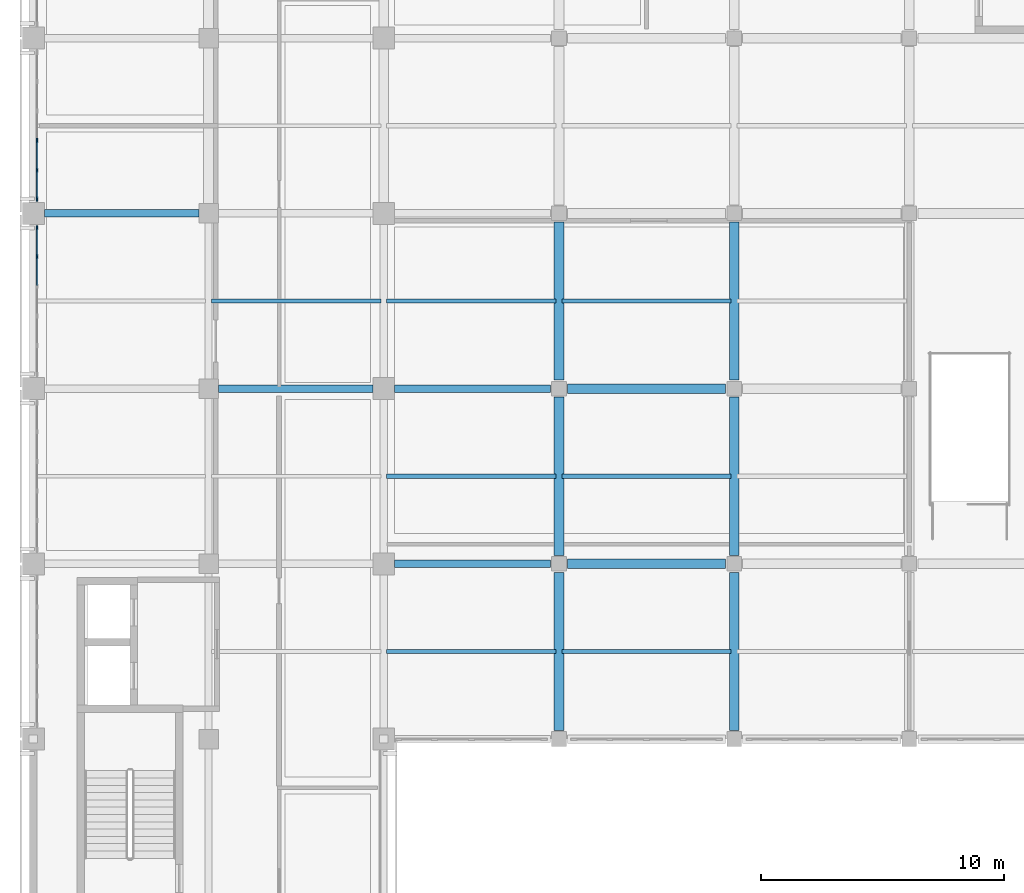
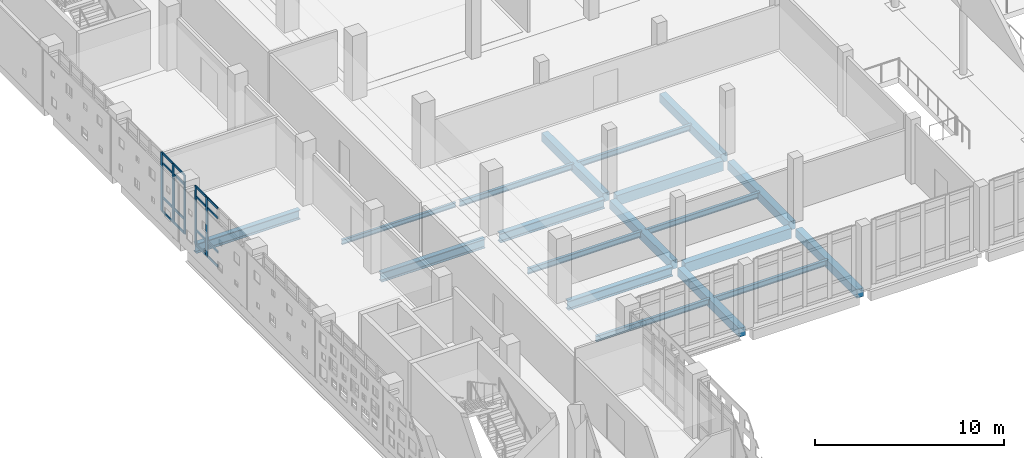
# One storey, part 12 of 62: 21 members, 19 beams, 2 elements without a shape of their own.
"""IFC4 building model written with IfcOpenShell, lengths in metres."""

import ifcopenshell
import ifcopenshell.guid

model = None  # the IFC model being written
_history = None  # IfcOwnerHistory: only IFC2X3 demands one
_inside = {}  # id of a spatial element -> (the spatial element, [elements in it])
_under = {}  # id of a project, library or spatial element -> (it, [spatial elements below it])
_declared = {}  # id of a project -> (the project, [libraries it declares])
_typed = {}  # id of a type object -> (the type object, [elements of that type])
_made_of = {}  # id of a material, layer set ... -> (it, [elements and type objects made of it])


def new_model(schema):
    """Start an empty IFC model of exactly this schema.

    Asked for "IFC4X3", IfcOpenShell would pick the latest addendum, in which some entities
    have other attributes; the version numbers below select the first issue.
    IFC2X3 requires an IfcOwnerHistory on every rooted entity: one is made here for all.
    """
    global model, _history
    if schema == "IFC4X3":
        model = ifcopenshell.file(schema_version=(4, 3, 0, 0))
    else:
        model = ifcopenshell.file(schema=schema)
    _inside.clear()
    _under.clear()
    _declared.clear()
    _typed.clear()
    _made_of.clear()
    _history = None
    if model.schema == "IFC2X3":
        org = make("IfcOrganization", Name="unknown")
        user = make(
            "IfcPersonAndOrganization",
            ThePerson=make("IfcPerson", FamilyName="unknown"),
            TheOrganization=org,
        )
        app = make(
            "IfcApplication",
            ApplicationDeveloper=org,
            Version="unknown",
            ApplicationFullName="unknown",
            ApplicationIdentifier="unknown",
        )
        _history = make(
            "IfcOwnerHistory",
            OwningUser=user,
            OwningApplication=app,
            ChangeAction="ADDED",
            CreationDate=0,
        )
    return model


def make(cls, **values):
    """One entity of the class cls with the attributes given. An attribute that is None is left unset."""
    return model.create_entity(
        cls, **{name: value for name, value in values.items() if value is not None}
    )


def rooted(cls, **values):
    """An entity with a GlobalId (a new one), such as an element, a storey or a relation."""
    return make(cls, GlobalId=ifcopenshell.guid.new(), OwnerHistory=_history, **values)


def si_unit(unit_type, name, prefix=None):
    """IfcSIUnit, for example si_unit("LENGTHUNIT", "METRE", prefix="MILLI")."""
    return make("IfcSIUnit", UnitType=unit_type, Prefix=prefix, Name=name)


def assignment(units):
    """IfcUnitAssignment: the units of a project."""
    return None if units is None else make("IfcUnitAssignment", Units=units)


def point(xyz):
    """IfcCartesianPoint."""
    return None if xyz is None else make("IfcCartesianPoint", Coordinates=xyz)


def direction(xyz):
    """IfcDirection."""
    return None if xyz is None else make("IfcDirection", DirectionRatios=xyz)


def frame(location, z_axis=None, x_axis=None):
    """IfcAxis2Placement3D, a coordinate frame: its origin and axes. An axis left out is left unset."""
    return make(
        "IfcAxis2Placement3D",
        Location=point(location),
        Axis=direction(z_axis),
        RefDirection=direction(x_axis),
    )


def frame_2d(location, x_axis=None):
    """IfcAxis2Placement2D, a coordinate frame in the plane: its origin and x axis."""
    return make(
        "IfcAxis2Placement2D", Location=point(location), RefDirection=direction(x_axis)
    )


def origin():
    """The frame at (0, 0, 0) with its axes left unset."""
    return frame((0.0, 0.0, 0.0))


def origin_2d():
    """The frame at (0, 0) in the plane with its x axis left unset."""
    return frame_2d((0.0, 0.0))


def place(relative_to, where):
    """IfcLocalPlacement: puts the frame where relative to a parent placement (None: the world)."""
    return make(
        "IfcLocalPlacement", PlacementRelTo=relative_to, RelativePlacement=where
    )


def context(
    kind, dimensions, precision=None, world=None, true_north=None, identifier=None
):
    """IfcGeometricRepresentationContext, for example the 3D "Model" context."""
    return make(
        "IfcGeometricRepresentationContext",
        ContextIdentifier=identifier,
        ContextType=kind,
        CoordinateSpaceDimension=dimensions,
        Precision=precision,
        WorldCoordinateSystem=world,
        TrueNorth=true_north,
    )


def subcontext(parent, identifier, kind, view, scale=None):
    """IfcGeometricRepresentationSubContext, for example "Body" below "Model"."""
    return make(
        "IfcGeometricRepresentationSubContext",
        ContextIdentifier=identifier,
        ContextType=kind,
        ParentContext=parent,
        TargetScale=scale,
        TargetView=view,
    )


def project(units=None, contexts=None):
    """IfcProject with its units and contexts."""
    return rooted(
        "IfcProject",
        Name="project",
        RepresentationContexts=contexts,
        UnitsInContext=assignment(units),
    )


def spatial(cls, under=None, at=None, **own):
    """A site, building, storey or space (cls), placed at a placement, below another one or the project."""
    s = rooted(cls, ObjectPlacement=at, **own)
    if under is not None:
        _under.setdefault(under.id(), (under, []))[1].append(s)
    return s


def profile(cls, at=None, kind="AREA", **sizes):
    """A parametric profile (cls). Its sizes go by their IFC names, for example OverallWidth=200.0."""
    return make(cls, ProfileType=kind, Position=at, **sizes)


def rectangle(**sizes):
    """IfcRectangleProfileDef."""
    return profile("IfcRectangleProfileDef", **sizes)


def i_section(**sizes):
    """IfcIShapeProfileDef."""
    return profile("IfcIShapeProfileDef", **sizes)


def extrude(swept, where, along, depth):
    """IfcExtrudedAreaSolid: the profile swept, set in the frame where, extruded along a direction by depth."""
    return make(
        "IfcExtrudedAreaSolid",
        SweptArea=swept,
        Position=where,
        ExtrudedDirection=direction(along),
        Depth=depth,
    )


def shape(context_of_items, identifier, shape_type, items):
    """IfcShapeRepresentation: the items that make up one representation, for example the "Body"."""
    return make(
        "IfcShapeRepresentation",
        ContextOfItems=context_of_items,
        RepresentationIdentifier=identifier,
        RepresentationType=shape_type,
        Items=items,
    )


def material(Name=None, Category=None):
    """IfcMaterial."""
    return make("IfcMaterial", Name=Name, Category=Category)


def layer(
    of_material, thickness, ventilated=None, Name=None, Category=None, Priority=None
):
    """IfcMaterialLayer: one layer of a wall or slab, of a material (None: an air gap)."""
    return make(
        "IfcMaterialLayer",
        Material=of_material,
        LayerThickness=thickness,
        IsVentilated=ventilated,
        Name=Name,
        Category=Category,
        Priority=Priority,
    )


def layer_set(layers, Name=None):
    """IfcMaterialLayerSet."""
    return make("IfcMaterialLayerSet", MaterialLayers=layers, LayerSetName=Name)


def material_profile(
    of_material, cross_section, Name=None, Category=None, Priority=None
):
    """IfcMaterialProfile: a cross section and its material."""
    return make(
        "IfcMaterialProfile",
        Name=Name,
        Material=of_material,
        Profile=cross_section,
        Priority=Priority,
        Category=Category,
    )


def profile_set(profiles, Name=None, composite=None):
    """IfcMaterialProfileSet."""
    return make(
        "IfcMaterialProfileSet",
        Name=Name,
        MaterialProfiles=profiles,
        CompositeProfile=composite,
    )


def made_of(thing, what):
    """Note that an element or type object is made of a material, layer set ...; save() writes the relation."""
    if what is not None:
        _made_of.setdefault(what.id(), (what, []))[1].append(thing)
    return thing


def type_object(cls, material=None, **own):
    """A type object (cls), such as IfcWallType, which elements share."""
    return made_of(rooted(cls, **own), material)


def element(
    cls,
    number,
    at=None,
    inside=None,
    cuts=None,
    type_object=None,
    material=None,
    context=None,
    identifier="Body",
    shape_type=None,
    held_by="IfcProductDefinitionShape",
    body=None,
    shapes=None,
    **own,
):
    """One element of the class cls, such as IfcWall. Its Tag is "e" and its number.

    at: its placement. inside: the storey or other place that contains it. cuts: it is an
    opening in that element (IfcRelVoidsElement). A single representation is given by context,
    identifier, shape_type and body (its items); several are given by shapes. held_by: the class
    of the entity that holds the representations. save() writes the other relations.
    """
    e = rooted(cls, Tag="e%d" % number, ObjectPlacement=at, **own)
    if body is not None:
        shapes = [shape(context, identifier, shape_type, body)]
    if shapes is not None:
        e.Representation = make(held_by, Representations=shapes)
    if inside is not None:
        _inside.setdefault(inside.id(), (inside, []))[1].append(e)
    if cuts is not None:
        rooted(
            "IfcRelVoidsElement", RelatingBuildingElement=cuts, RelatedOpeningElement=e
        )
    if type_object is not None:
        _typed.setdefault(type_object.id(), (type_object, []))[1].append(e)
    return made_of(e, material)


def aggregate(whole, parts):
    """IfcRelAggregates: a whole, such as a stair, and the parts it consists of."""
    return rooted("IfcRelAggregates", RelatingObject=whole, RelatedObjects=parts)


def save(model, path):
    """Write the relations noted so far, then the file.

    IfcRelAggregates (storeys below a building ...), IfcRelContainedInSpatialStructure (elements
    in a storey), IfcRelDefinesByType, IfcRelAssociatesMaterial and IfcRelDeclares: one each for
    every whole, place, type object, material and project.
    """
    for whole, parts in _under.values():
        aggregate(whole, parts)
    for where, things in _inside.values():
        rooted(
            "IfcRelContainedInSpatialStructure",
            RelatedElements=things,
            RelatingStructure=where,
        )
    for kind, things in _typed.values():
        rooted("IfcRelDefinesByType", RelatedObjects=things, RelatingType=kind)
    for what, things in _made_of.values():
        rooted("IfcRelAssociatesMaterial", RelatedObjects=things, RelatingMaterial=what)
    for by, libraries in _declared.values():
        rooted("IfcRelDeclares", RelatingContext=by, RelatedDefinitions=libraries)
    model.write(path)


model = new_model("IFC4")

# Units and contexts
model_context = context("Model", 3, precision=1e-05, world=origin(), true_north=direction((0.0, 1.0)))
body_context = subcontext(model_context, "Body", "Model", "MODEL_VIEW")
ifc_project = project(units=[si_unit("LENGTHUNIT", "METRE"), si_unit("AREAUNIT", "SQUARE_METRE"), si_unit("VOLUMEUNIT", "CUBIC_METRE"), si_unit("PLANEANGLEUNIT", "RADIAN"), si_unit("MASSUNIT", "GRAM", prefix="KILO")], contexts=[model_context])

# Site, building, storey
site_placement = place(None, origin())
site = spatial("IfcSite", under=ifc_project, at=site_placement, CompositionType="ELEMENT")
building_placement = place(site_placement, origin())
building = spatial("IfcBuilding", under=site, at=building_placement, Name="Valkovuoma Quantum and Materials Research Institute", CompositionType="ELEMENT")
storey_placement = place(building_placement, frame((0.0, 0.0, 13.1201171875)))
storey = spatial("IfcBuildingStorey", under=building, at=storey_placement, Name="L03", CompositionType="ELEMENT", Elevation=13.1201171875)

# Beams
ifc_material_1 = material(Name="Steel S355J2", Category="steel")
ifc_material_profile_1 = material_profile(ifc_material_1, i_section(OverallWidth=0.300048828125, OverallDepth=0.60009765625, WebThickness=0.015380859375, FlangeThickness=0.030029296875, FilletRadius=0.027099609375, at=origin_2d()), Name="Steel S355J2")
ifc_profile_set_1 = profile_set([ifc_material_profile_1], Name="Steel S355J2")
beam_type_1 = type_object("IfcBeamType", Name="Beam-B-HEB600", PredefinedType="BEAM", material=ifc_profile_set_1)
beam_1_placement = place(storey_placement, frame((14.85009765625, 43.199951171875, -0.650146484375), z_axis=(1.0, 0.0, 0.0), x_axis=(0.0, 1.0, 0.0)))
element("IfcBeam", 1, at=beam_1_placement, inside=storey, type_object=beam_type_1, Name="L03 beam X-1445", PredefinedType="BEAM", context=body_context, shape_type="SweptSolid", body=[
    extrude(i_section(OverallWidth=0.300048828125, OverallDepth=0.60009765625, WebThickness=0.015380859375, FlangeThickness=0.030029296875, FilletRadius=0.027099609375, at=origin_2d()), origin(), (0.0, 0.0, 1.0), 6.39990234375),
])
beam_2_placement = place(storey_placement, frame((7.60009765625, 50.39990234375, -0.650146484375), z_axis=(1.0, 0.0, 0.0), x_axis=(0.0, 1.0, 0.0)))
element("IfcBeam", 2, at=beam_2_placement, inside=storey, type_object=beam_type_1, Name="L03 beam X-1455", PredefinedType="BEAM", context=body_context, shape_type="SweptSolid", body=[
    extrude(i_section(OverallWidth=0.300048828125, OverallDepth=0.60009765625, WebThickness=0.015380859375, FlangeThickness=0.030029296875, FilletRadius=0.027099609375, at=origin_2d()), origin(), (0.0, 0.0, 1.0), 6.349853515625),
])
beam_3_placement = place(storey_placement, frame((14.85009765625, 50.39990234375, -0.650146484375), z_axis=(1.0, 0.0, 0.0), x_axis=(0.0, 1.0, 0.0)))
element("IfcBeam", 3, at=beam_3_placement, inside=storey, type_object=beam_type_1, Name="L03 beam X-1456", PredefinedType="BEAM", context=body_context, shape_type="SweptSolid", body=[
    extrude(i_section(OverallWidth=0.300048828125, OverallDepth=0.60009765625, WebThickness=0.015380859375, FlangeThickness=0.030029296875, FilletRadius=0.027099609375, at=origin_2d()), origin(), (0.0, 0.0, 1.0), 6.39990234375),
])
beam_4_placement = place(storey_placement, frame((0.449951171875, 57.60009765625, -0.650146484375), z_axis=(1.0, 0.0, 0.0), x_axis=(0.0, 1.0, 0.0)))
element("IfcBeam", 4, at=beam_4_placement, inside=storey, type_object=beam_type_1, Name="L03 beam X-1464", PredefinedType="BEAM", context=body_context, shape_type="SweptSolid", body=[
    extrude(i_section(OverallWidth=0.300048828125, OverallDepth=0.60009765625, WebThickness=0.015380859375, FlangeThickness=0.030029296875, FilletRadius=0.027099609375, at=origin_2d()), origin(), (0.0, 0.0, 1.0), 6.35009765625),
])
ifc_material_2 = material(Name="Steel S355J2", Category="steel")
ifc_material_profile_2 = material_profile(ifc_material_2, i_section(OverallWidth=0.14990234375, OverallDepth=0.300048828125, WebThickness=0.007080078125, FlangeThickness=0.0107421875, FilletRadius=0.014892578125, at=origin_2d()), Name="Steel S355J2")
ifc_profile_set_2 = profile_set([ifc_material_profile_2], Name="Steel S355J2")
beam_type_2 = type_object("IfcBeamType", Name="Beam-B-JST300", PredefinedType="JOIST", material=ifc_profile_set_2)
beam_5_placement = place(storey_placement, frame((7.320068359375, 54.0, -0.5), z_axis=(1.0, 0.0, 0.0), x_axis=(0.0, 1.0, 0.0)))
element("IfcBeam", 5, at=beam_5_placement, inside=storey, type_object=beam_type_2, Name="L03 floor joist 1723", PredefinedType="JOIST", context=body_context, shape_type="SweptSolid", body=[
    extrude(i_section(OverallWidth=0.14990234375, OverallDepth=0.300048828125, WebThickness=0.007080078125, FlangeThickness=0.0107421875, FilletRadius=0.014892578125, at=origin_2d()), origin(), (0.0, 0.0, 1.0), 6.9599609375),
])
ifc_material_3 = material(Name="Steel S355J2", Category="steel")
ifc_material_profile_3 = material_profile(ifc_material_3, i_section(OverallWidth=0.169921875, OverallDepth=0.360107421875, WebThickness=0.008056640625, FlangeThickness=0.0126953125, FilletRadius=0.01806640625, at=origin_2d()), Name="Steel S355J2")
ifc_profile_set_3 = profile_set([ifc_material_profile_3], Name="Steel S355J2")
beam_type_3 = type_object("IfcBeamType", Name="Beam-B-JST360", PredefinedType="JOIST", material=ifc_profile_set_3)
for number, where, z_axis, x_axis, name in (
    (6, (14.52001953125, 39.60009765625, -0.530029296875), (1.0, 0.0, 0.0), (0.0, 1.0, 0.0), "L03 floor joist 1703"),
    (7, (21.719970703125, 39.60009765625, -0.530029296875), (1.0, 0.0, 0.0), (0.0, 1.0, 0.0), "L03 floor joist 1704"),
    (8, (14.52001953125, 46.800048828125, -0.530029296875), (1.0, 0.0, 0.0), (0.0, 1.0, 0.0), "L03 floor joist 1714"),
    (9, (21.719970703125, 46.800048828125, -0.530029296875), (1.0, 0.0, 0.0), (0.0, 1.0, 0.0), "L03 floor joist 1715"),
    (10, (14.52001953125, 54.0, -0.530029296875), (1.0, 0.0, 0.0), (0.0, 1.0, 0.0), "L03 floor joist 1724"),
    (11, (21.719970703125, 54.0, -0.530029296875), (1.0, 0.0, 0.0), (0.0, 1.0, 0.0), "L03 floor joist 1725"),
):
    element("IfcBeam", number, at=place(storey_placement, frame(where, z_axis=z_axis, x_axis=x_axis)), inside=storey, type_object=beam_type_3, Name=name, PredefinedType="JOIST", context=body_context, shape_type="SweptSolid", body=[
        extrude(i_section(OverallWidth=0.169921875, OverallDepth=0.360107421875, WebThickness=0.008056640625, FlangeThickness=0.0126953125, FilletRadius=0.01806640625, at=origin_2d()), origin(), (0.0, 0.0, 1.0), 6.9599609375),
    ])
ifc_material_4 = material(Name="Concrete C40/50", Category="concrete")
ifc_material_profile_4 = material_profile(ifc_material_4, rectangle(XDim=0.39990234375, YDim=0.550048828125, at=origin_2d()), Name="Concrete C40/50")
ifc_profile_set_4 = profile_set([ifc_material_profile_4], Name="Concrete C40/50")
beam_type_4 = type_object("IfcBeamType", Name="Beam-B-RC550", PredefinedType="BEAM", material=ifc_profile_set_4)
for number, where, z_axis, x_axis, name in (
    (12, (21.60009765625, 36.35009765625, -0.625), (0.0, 1.0, 0.0), (-1.0, 0.0, 0.0), "L03 beam Y-1585"),
    (13, (21.60009765625, 43.550048828125, -0.625), (0.0, 1.0, 0.0), (-1.0, 0.0, 0.0), "L03 beam Y-1586"),
    (14, (21.60009765625, 50.75, -0.625), (0.0, 1.0, 0.0), (-1.0, 0.0, 0.0), "L03 beam Y-1587"),
    (15, (28.800048828125, 36.35009765625, -0.625), (0.0, 1.0, 0.0), (-1.0, 0.0, 0.0), "L03 beam Y-1595"),
    (16, (28.800048828125, 43.550048828125, -0.625), (0.0, 1.0, 0.0), (-1.0, 0.0, 0.0), "L03 beam Y-1596"),
    (17, (28.800048828125, 50.75, -0.625), (0.0, 1.0, 0.0), (-1.0, 0.0, 0.0), "L03 beam Y-1597"),
):
    element("IfcBeam", number, at=place(storey_placement, frame(where, z_axis=z_axis, x_axis=x_axis)), inside=storey, type_object=beam_type_4, Name=name, PredefinedType="BEAM", context=body_context, shape_type="SweptSolid", body=[
        extrude(rectangle(XDim=0.39990234375, YDim=0.550048828125, at=origin_2d()), origin(), (0.0, 0.0, 1.0), 6.5),
    ])
ifc_material_5 = material(Name="Concrete C40/50", Category="concrete")
ifc_material_profile_5 = material_profile(ifc_material_5, rectangle(XDim=0.39990234375, YDim=0.64990234375, at=origin_2d()), Name="Concrete C40/50")
ifc_profile_set_5 = profile_set([ifc_material_profile_5], Name="Concrete C40/50")
beam_type_5 = type_object("IfcBeamType", Name="Beam-B-RC650", PredefinedType="BEAM", material=ifc_profile_set_5)
for number, where, z_axis, x_axis, name in (
    (18, (21.949951171875, 43.199951171875, -0.675048828125), (1.0, 0.0, 0.0), (0.0, 1.0, 0.0), "L03 beam X-1446"),
    (19, (21.949951171875, 50.39990234375, -0.675048828125), (1.0, 0.0, 0.0), (0.0, 1.0, 0.0), "L03 beam X-1457"),
):
    element("IfcBeam", number, at=place(storey_placement, frame(where, z_axis=z_axis, x_axis=x_axis)), inside=storey, type_object=beam_type_5, Name=name, PredefinedType="BEAM", context=body_context, shape_type="SweptSolid", body=[
        extrude(rectangle(XDim=0.39990234375, YDim=0.64990234375, at=origin_2d()), origin(), (0.0, 0.0, 1.0), 6.5),
    ])

# Curtain wall, members
ifc_material_6 = material(Name="Thermally broken aluminium and triple low-E glazing", Category="aluminium")
ifc_layer = layer(ifc_material_6, 0.219970703125)
ifc_layer_set = layer_set([ifc_layer], Name="Thermally broken aluminium and triple low-E glazing")
curtain_wall_type = type_object("IfcCurtainWallType", Name="CW-CW-01", PredefinedType="NOTDEFINED", material=ifc_layer_set)
curtain_wall_1_placement = place(storey_placement, origin())
curtain_wall_1 = element("IfcCurtainWall", 20, at=curtain_wall_1_placement, inside=storey, type_object=curtain_wall_type, Name="L03 curtain wall 033", PredefinedType="NOTDEFINED")
ifc_material_7 = material(Name="Anodised aluminium 6060-T66", Category="aluminium")
ifc_material_profile_6 = material_profile(ifc_material_7, rectangle(XDim=0.06494140625, YDim=0.179931640625, at=origin_2d()), Name="Anodised aluminium 6060-T66")
ifc_profile_set_6 = profile_set([ifc_material_profile_6], Name="Anodised aluminium 6060-T66")
member_type_1 = type_object("IfcMemberType", Name="CWMull-CWM-01", PredefinedType="MULLION", material=ifc_profile_set_6)
member_1_placement = place(storey_placement, frame((0.14990234375, 55.82568359375, 0.0), z_axis=(0.0, 0.0, 1.0), x_axis=(-1.0, 0.0, 0.0)))
member_1 = element("IfcMember", 21, at=member_1_placement, type_object=member_type_1, Name="CW-01 mullion 5", PredefinedType="MULLION", context=body_context, shape_type="SweptSolid", body=[
    extrude(rectangle(XDim=0.06494140625, YDim=0.179931640625, at=origin_2d()), origin(), (0.0, 0.0, 1.0), 3.809814453125),
])
member_2_placement = place(storey_placement, frame((0.14990234375, 57.010498046875, 0.0), z_axis=(0.0, 0.0, 1.0), x_axis=(-1.0, 0.0, 0.0)))
member_2 = element("IfcMember", 22, at=member_2_placement, type_object=member_type_1, Name="CW-01 mullion 6", PredefinedType="MULLION", context=body_context, shape_type="SweptSolid", body=[
    extrude(rectangle(XDim=0.06494140625, YDim=0.179931640625, at=origin_2d()), origin(), (0.0, 0.0, 1.0), 3.809814453125),
])

curtain_wall_2_placement = place(storey_placement, origin())
curtain_wall_2 = element("IfcCurtainWall", 23, at=curtain_wall_2_placement, inside=storey, type_object=curtain_wall_type, Name="L03 curtain wall 034", PredefinedType="NOTDEFINED")
member_3_placement = place(storey_placement, frame((0.14990234375, 58.189697265625, 0.0), z_axis=(0.0, 0.0, 1.0), x_axis=(-1.0, 0.0, 0.0)))
member_3 = element("IfcMember", 24, at=member_3_placement, type_object=member_type_1, Name="CW-01 mullion 1", PredefinedType="MULLION", context=body_context, shape_type="SweptSolid", body=[
    extrude(rectangle(XDim=0.06494140625, YDim=0.179931640625, at=origin_2d()), origin(), (0.0, 0.0, 1.0), 3.809814453125),
])
member_4_placement = place(storey_placement, frame((0.14990234375, 59.374267578125, 0.0), z_axis=(0.0, 0.0, 1.0), x_axis=(-1.0, 0.0, 0.0)))
member_4 = element("IfcMember", 25, at=member_4_placement, type_object=member_type_1, Name="CW-01 mullion 2", PredefinedType="MULLION", context=body_context, shape_type="SweptSolid", body=[
    extrude(rectangle(XDim=0.06494140625, YDim=0.179931640625, at=origin_2d()), origin(), (0.0, 0.0, 1.0), 3.809814453125),
])
member_5_placement = place(storey_placement, frame((0.14990234375, 60.59130859375, 0.0), z_axis=(0.0, 0.0, 1.0), x_axis=(-1.0, 0.0, 0.0)))
member_5 = element("IfcMember", 26, at=member_5_placement, type_object=member_type_1, Name="CW-01 mullion 3", PredefinedType="MULLION", context=body_context, shape_type="SweptSolid", body=[
    extrude(rectangle(XDim=0.06494140625, YDim=0.179931640625, at=origin_2d()), origin(), (0.0, 0.0, 1.0), 3.809814453125),
])

# Member
ifc_material_8 = material(Name="Anodised aluminium 6060-T66", Category="aluminium")
ifc_material_profile_7 = material_profile(ifc_material_8, rectangle(XDim=0.06494140625, YDim=0.139892578125, at=origin_2d()), Name="Anodised aluminium 6060-T66")
ifc_profile_set_7 = profile_set([ifc_material_profile_7], Name="Anodised aluminium 6060-T66")
member_type_2 = type_object("IfcMemberType", Name="CWTran-CWT-01", PredefinedType="USERDEFINED", material=ifc_profile_set_7)
member_6_placement = place(storey_placement, frame((0.14990234375, 54.64111328125, 0.032470703125), z_axis=(0.0, 1.0, 0.0), x_axis=(-1.0, 0.0, 0.0)))
member_6 = element("IfcMember", 27, at=member_6_placement, type_object=member_type_2, Name="CW-01 transom 4.1", ObjectType="TRANSOM", PredefinedType="USERDEFINED", context=body_context, shape_type="SweptSolid", body=[
    extrude(rectangle(XDim=0.06494140625, YDim=0.139892578125, at=origin_2d()), origin(), (0.0, 0.0, 1.0), 1.152099609375),
])

member_7_placement = place(storey_placement, frame((0.14990234375, 54.64111328125, 0.949951171875), z_axis=(0.0, 1.0, 0.0), x_axis=(-1.0, 0.0, 0.0)))
member_7 = element("IfcMember", 28, at=member_7_placement, type_object=member_type_2, Name="CW-01 transom 4.2", ObjectType="TRANSOM", PredefinedType="USERDEFINED", context=body_context, shape_type="SweptSolid", body=[
    extrude(rectangle(XDim=0.06494140625, YDim=0.139892578125, at=origin_2d()), origin(), (0.0, 0.0, 1.0), 1.152099609375),
])

member_8_placement = place(storey_placement, frame((0.14990234375, 54.64111328125, 3.159912109375), z_axis=(0.0, 1.0, 0.0), x_axis=(-1.0, 0.0, 0.0)))
member_8 = element("IfcMember", 29, at=member_8_placement, type_object=member_type_2, Name="CW-01 transom 4.3", ObjectType="TRANSOM", PredefinedType="USERDEFINED", context=body_context, shape_type="SweptSolid", body=[
    extrude(rectangle(XDim=0.06494140625, YDim=0.139892578125, at=origin_2d()), origin(), (0.0, 0.0, 1.0), 1.152099609375),
])

member_9_placement = place(storey_placement, frame((0.14990234375, 54.64111328125, 3.77734375), z_axis=(0.0, 1.0, 0.0), x_axis=(-1.0, 0.0, 0.0)))
member_9 = element("IfcMember", 30, at=member_9_placement, type_object=member_type_2, Name="CW-01 transom 4.4", ObjectType="TRANSOM", PredefinedType="USERDEFINED", context=body_context, shape_type="SweptSolid", body=[
    extrude(rectangle(XDim=0.06494140625, YDim=0.139892578125, at=origin_2d()), origin(), (0.0, 0.0, 1.0), 1.152099609375),
])

member_10_placement = place(storey_placement, frame((0.14990234375, 55.858154296875, 0.032470703125), z_axis=(0.0, 1.0, 0.0), x_axis=(-1.0, 0.0, 0.0)))
member_10 = element("IfcMember", 31, at=member_10_placement, type_object=member_type_2, Name="CW-01 transom 5.1", ObjectType="TRANSOM", PredefinedType="USERDEFINED", context=body_context, shape_type="SweptSolid", body=[
    extrude(rectangle(XDim=0.06494140625, YDim=0.139892578125, at=origin_2d()), origin(), (0.0, 0.0, 1.0), 1.11962890625),
])

member_11_placement = place(storey_placement, frame((0.14990234375, 55.858154296875, 0.949951171875), z_axis=(0.0, 1.0, 0.0), x_axis=(-1.0, 0.0, 0.0)))
member_11 = element("IfcMember", 32, at=member_11_placement, type_object=member_type_2, Name="CW-01 transom 5.2", ObjectType="TRANSOM", PredefinedType="USERDEFINED", context=body_context, shape_type="SweptSolid", body=[
    extrude(rectangle(XDim=0.06494140625, YDim=0.139892578125, at=origin_2d()), origin(), (0.0, 0.0, 1.0), 1.11962890625),
])

member_12_placement = place(storey_placement, frame((0.14990234375, 55.858154296875, 3.159912109375), z_axis=(0.0, 1.0, 0.0), x_axis=(-1.0, 0.0, 0.0)))
member_12 = element("IfcMember", 33, at=member_12_placement, type_object=member_type_2, Name="CW-01 transom 5.3", ObjectType="TRANSOM", PredefinedType="USERDEFINED", context=body_context, shape_type="SweptSolid", body=[
    extrude(rectangle(XDim=0.06494140625, YDim=0.139892578125, at=origin_2d()), origin(), (0.0, 0.0, 1.0), 1.11962890625),
])

member_13_placement = place(storey_placement, frame((0.14990234375, 55.858154296875, 3.77734375), z_axis=(0.0, 1.0, 0.0), x_axis=(-1.0, 0.0, 0.0)))
member_13 = element("IfcMember", 34, at=member_13_placement, type_object=member_type_2, Name="CW-01 transom 5.4", ObjectType="TRANSOM", PredefinedType="USERDEFINED", context=body_context, shape_type="SweptSolid", body=[
    extrude(rectangle(XDim=0.06494140625, YDim=0.139892578125, at=origin_2d()), origin(), (0.0, 0.0, 1.0), 1.11962890625),
])

aggregate(curtain_wall_1, [member_1, member_2, member_6, member_7, member_8, member_9, member_10, member_11, member_12, member_13])

member_14_placement = place(storey_placement, frame((0.14990234375, 58.22216796875, 0.032470703125), z_axis=(0.0, 1.0, 0.0), x_axis=(-1.0, 0.0, 0.0)))
member_14 = element("IfcMember", 35, at=member_14_placement, type_object=member_type_2, Name="CW-01 transom 1.1", ObjectType="TRANSOM", PredefinedType="USERDEFINED", context=body_context, shape_type="SweptSolid", body=[
    extrude(rectangle(XDim=0.06494140625, YDim=0.139892578125, at=origin_2d()), origin(), (0.0, 0.0, 1.0), 1.11962890625),
])

member_15_placement = place(storey_placement, frame((0.14990234375, 58.22216796875, 0.949951171875), z_axis=(0.0, 1.0, 0.0), x_axis=(-1.0, 0.0, 0.0)))
member_15 = element("IfcMember", 36, at=member_15_placement, type_object=member_type_2, Name="CW-01 transom 1.2", ObjectType="TRANSOM", PredefinedType="USERDEFINED", context=body_context, shape_type="SweptSolid", body=[
    extrude(rectangle(XDim=0.06494140625, YDim=0.139892578125, at=origin_2d()), origin(), (0.0, 0.0, 1.0), 1.11962890625),
])

member_16_placement = place(storey_placement, frame((0.14990234375, 58.22216796875, 3.159912109375), z_axis=(0.0, 1.0, 0.0), x_axis=(-1.0, 0.0, 0.0)))
member_16 = element("IfcMember", 37, at=member_16_placement, type_object=member_type_2, Name="CW-01 transom 1.3", ObjectType="TRANSOM", PredefinedType="USERDEFINED", context=body_context, shape_type="SweptSolid", body=[
    extrude(rectangle(XDim=0.06494140625, YDim=0.139892578125, at=origin_2d()), origin(), (0.0, 0.0, 1.0), 1.11962890625),
])

member_17_placement = place(storey_placement, frame((0.14990234375, 58.22216796875, 3.77734375), z_axis=(0.0, 1.0, 0.0), x_axis=(-1.0, 0.0, 0.0)))
member_17 = element("IfcMember", 38, at=member_17_placement, type_object=member_type_2, Name="CW-01 transom 1.4", ObjectType="TRANSOM", PredefinedType="USERDEFINED", context=body_context, shape_type="SweptSolid", body=[
    extrude(rectangle(XDim=0.06494140625, YDim=0.139892578125, at=origin_2d()), origin(), (0.0, 0.0, 1.0), 1.11962890625),
])

member_18_placement = place(storey_placement, frame((0.14990234375, 59.40673828125, 0.032470703125), z_axis=(0.0, 1.0, 0.0), x_axis=(-1.0, 0.0, 0.0)))
member_18 = element("IfcMember", 39, at=member_18_placement, type_object=member_type_2, Name="CW-01 transom 2.1", ObjectType="TRANSOM", PredefinedType="USERDEFINED", context=body_context, shape_type="SweptSolid", body=[
    extrude(rectangle(XDim=0.06494140625, YDim=0.139892578125, at=origin_2d()), origin(), (0.0, 0.0, 1.0), 1.152099609375),
])

member_19_placement = place(storey_placement, frame((0.14990234375, 59.40673828125, 0.949951171875), z_axis=(0.0, 1.0, 0.0), x_axis=(-1.0, 0.0, 0.0)))
member_19 = element("IfcMember", 40, at=member_19_placement, type_object=member_type_2, Name="CW-01 transom 2.2", ObjectType="TRANSOM", PredefinedType="USERDEFINED", context=body_context, shape_type="SweptSolid", body=[
    extrude(rectangle(XDim=0.06494140625, YDim=0.139892578125, at=origin_2d()), origin(), (0.0, 0.0, 1.0), 1.152099609375),
])

member_20_placement = place(storey_placement, frame((0.14990234375, 59.40673828125, 3.159912109375), z_axis=(0.0, 1.0, 0.0), x_axis=(-1.0, 0.0, 0.0)))
member_20 = element("IfcMember", 41, at=member_20_placement, type_object=member_type_2, Name="CW-01 transom 2.3", ObjectType="TRANSOM", PredefinedType="USERDEFINED", context=body_context, shape_type="SweptSolid", body=[
    extrude(rectangle(XDim=0.06494140625, YDim=0.139892578125, at=origin_2d()), origin(), (0.0, 0.0, 1.0), 1.152099609375),
])

member_21_placement = place(storey_placement, frame((0.14990234375, 59.40673828125, 3.77734375), z_axis=(0.0, 1.0, 0.0), x_axis=(-1.0, 0.0, 0.0)))
member_21 = element("IfcMember", 42, at=member_21_placement, type_object=member_type_2, Name="CW-01 transom 2.4", ObjectType="TRANSOM", PredefinedType="USERDEFINED", context=body_context, shape_type="SweptSolid", body=[
    extrude(rectangle(XDim=0.06494140625, YDim=0.139892578125, at=origin_2d()), origin(), (0.0, 0.0, 1.0), 1.152099609375),
])

aggregate(curtain_wall_2, [member_3, member_4, member_5, member_14, member_15, member_16, member_17, member_18, member_19, member_20, member_21])

save(model, "model.ifc")
